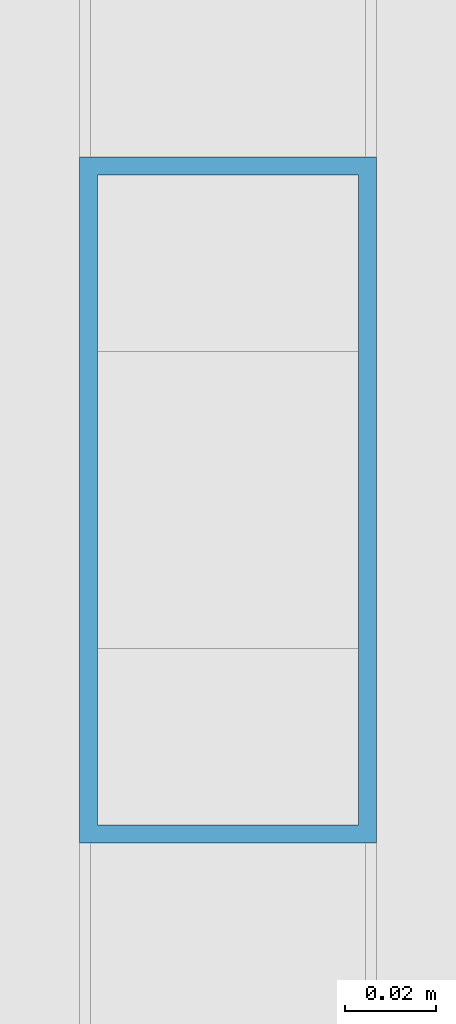
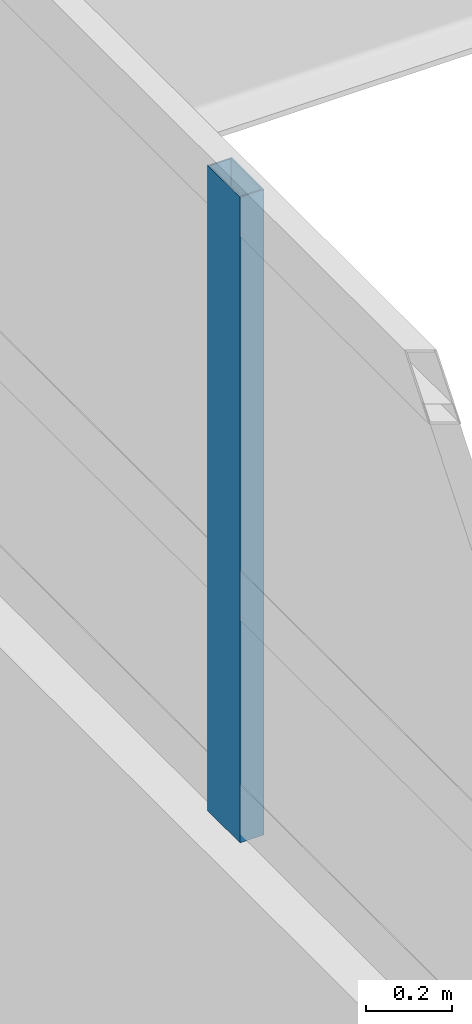
# One storey, part 27 of 101: 1 member, 1 element without a shape of its own.
"""IFC4 building model written with IfcOpenShell, lengths in metres."""

from ifc_helpers import new_model, si_unit, direction, frame, origin, origin_2d, place, context, subcontext, project, spatial, hollow_rectangle, extrude, material, layer, layer_set, material_profile, profile_set, type_object, element, aggregate, save


model = new_model("IFC4")

# Units and contexts
model_context = context("Model", 3, precision=1e-05, world=origin(), true_north=direction((0.0, 1.0)))
body_context = subcontext(model_context, "Body", "Model", "MODEL_VIEW")
ifc_project = project(units=[si_unit("LENGTHUNIT", "METRE"), si_unit("AREAUNIT", "SQUARE_METRE"), si_unit("VOLUMEUNIT", "CUBIC_METRE"), si_unit("PLANEANGLEUNIT", "RADIAN"), si_unit("MASSUNIT", "GRAM", prefix="KILO")], contexts=[model_context])

# Site, building, storey
site_placement = place(None, origin())
site = spatial("IfcSite", under=ifc_project, at=site_placement, CompositionType="ELEMENT")
building_placement = place(site_placement, origin())
building = spatial("IfcBuilding", under=site, at=building_placement, Name="Vireocrest Preparatory School", CompositionType="ELEMENT")
storey_placement = place(building_placement, frame((0.0, 0.0, 4.800048828125)))
storey = spatial("IfcBuildingStorey", under=building, at=storey_placement, Name="L01", CompositionType="ELEMENT", Elevation=4.800048828125)

# Curtain wall, member
ifc_material = material(Name="Thermally broken aluminium EN AW-6063-T6", Category="aluminium")
ifc_layer = layer(ifc_material, 0.179931640625)
ifc_layer_set = layer_set([ifc_layer], Name="Thermally broken aluminium EN AW-6063-T6")
curtain_wall_type = type_object("IfcCurtainWallType", Name="Court Banded Curtain Wall 8400x3000", PredefinedType="USERDEFINED", material=ifc_layer_set)
curtain_wall_placement = place(storey_placement, origin())
curtain_wall = element("IfcCurtainWall", 1, at=curtain_wall_placement, inside=storey, type_object=curtain_wall_type, Name="Curtain Wall CW02 CW_L01_CW02_0672_0441_060", ObjectType="CURTAIN WALL", PredefinedType="USERDEFINED")
ifc_material_profile = material_profile(ifc_material, hollow_rectangle(XDim=0.06494140625, YDim=0.14990234375, WallThickness=0.00390625, at=origin_2d()), Name="ALU 65x150x4")
ifc_profile_set = profile_set([ifc_material_profile], Name="Thermally broken aluminium EN AW-6063-T6")
member_type = type_object("IfcMemberType", Name="CW Mullion 65x150x4", PredefinedType="MULLION", material=ifc_profile_set)
member_placement = place(storey_placement, frame((67.199951171875, 47.22705078125, 1.14990234375), z_axis=(0.0, 0.0, 1.0), x_axis=(1.0, 0.0, 0.0)))
member = element("IfcMember", 2, at=member_placement, type_object=member_type, Name="CW Mullion ML1 CW_L01_CW02_0672_0441_060-3", PredefinedType="MULLION", context=body_context, shape_type="SweptSolid", body=[
    extrude(hollow_rectangle(XDim=0.06494140625, YDim=0.14990234375, WallThickness=0.00390625, at=origin_2d()), origin(), (0.0, 0.0, 1.0), 1.824951171875),
])
aggregate(curtain_wall, [member])

save(model, "model.ifc")
